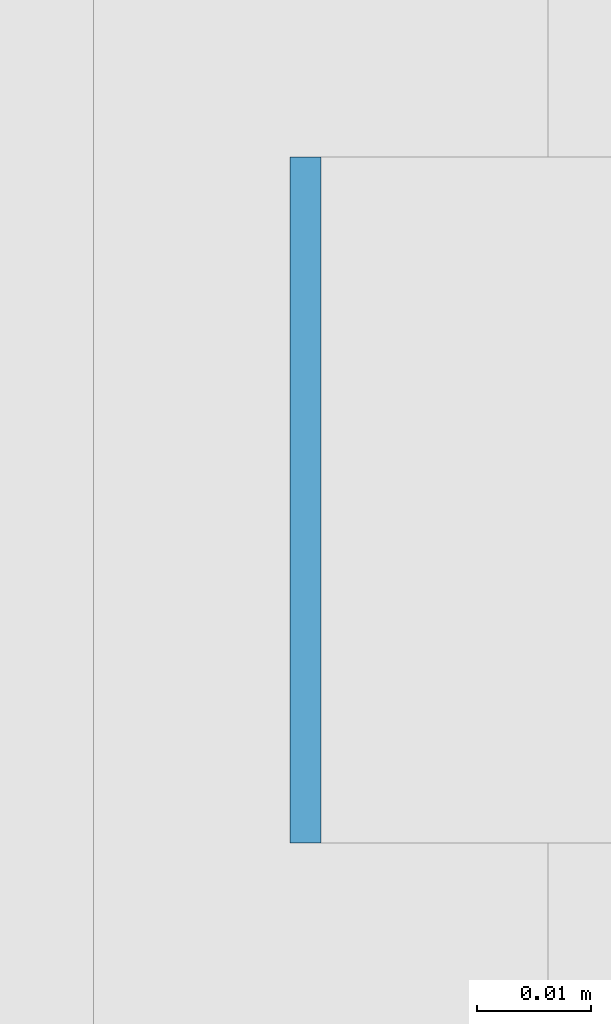
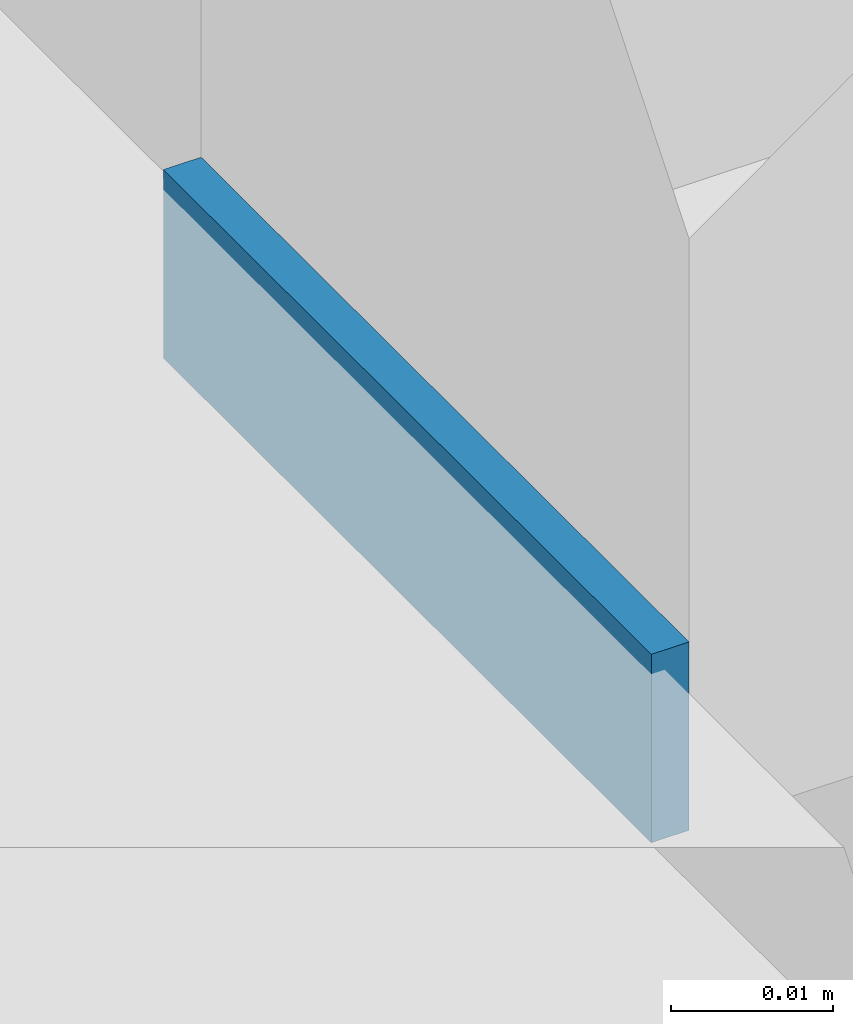
# One storey, part 442 of 646: 1 discrete accessory.
"""IFC4 building model written with IfcOpenShell, lengths in metres."""

from ifc_helpers import new_model, si_unit, direction, frame, origin, origin_2d, place, context, subcontext, project, spatial, rectangle, extrude, material, type_object, element, save


model = new_model("IFC4")

# Units and contexts
model_context = context("Model", 3, precision=1e-05, world=origin(), true_north=direction((0.0, 1.0)))
body_context = subcontext(model_context, "Body", "Model", "MODEL_VIEW")
ifc_project = project(units=[si_unit("LENGTHUNIT", "METRE"), si_unit("AREAUNIT", "SQUARE_METRE"), si_unit("VOLUMEUNIT", "CUBIC_METRE"), si_unit("PLANEANGLEUNIT", "RADIAN"), si_unit("MASSUNIT", "GRAM", prefix="KILO")], contexts=[model_context])

# Site, building, storey
site_placement = place(None, origin())
site = spatial("IfcSite", under=ifc_project, at=site_placement, CompositionType="ELEMENT")
building_placement = place(site_placement, origin())
building = spatial("IfcBuilding", under=site, at=building_placement, Name="Silverbay Arena", CompositionType="ELEMENT")
storey_placement = place(building_placement, frame((0.0, 0.0, 33.5)))
storey = spatial("IfcBuildingStorey", under=building, at=storey_placement, Name="L05", CompositionType="ELEMENT", Elevation=33.5)

# Discrete accessory
ifc_material = material(Name="Steel S355", Category="steel")
discrete_accessory_type = type_object("IfcDiscreteAccessoryType", Name="Steel bracket plate", PredefinedType="BRACKET", material=ifc_material)
discrete_accessory_placement = place(storey_placement, frame((207.128662109375, 34.566650390625, 4.0), z_axis=(0.0, 0.0, 1.0), x_axis=(1.0, 0.0, 0.0)))
element("IfcDiscreteAccessory", 1, at=discrete_accessory_placement, inside=storey, type_object=discrete_accessory_type, Name="Curtain wall packing plate", PredefinedType="BRACKET", context=body_context, shape_type="SweptSolid", body=[
    extrude(rectangle(XDim=0.002685546875, YDim=0.06005859375, at=origin_2d()), origin(), (0.0, 0.0, 1.0), 0.01416015625),
])

save(model, "model.ifc")
